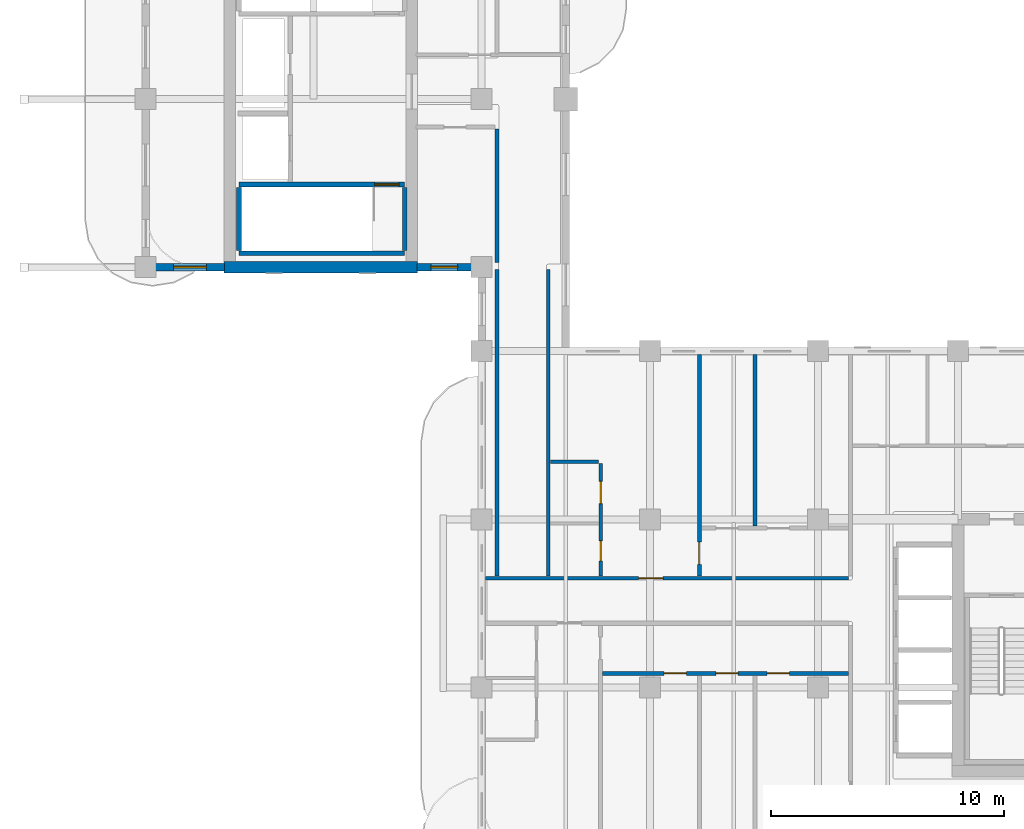
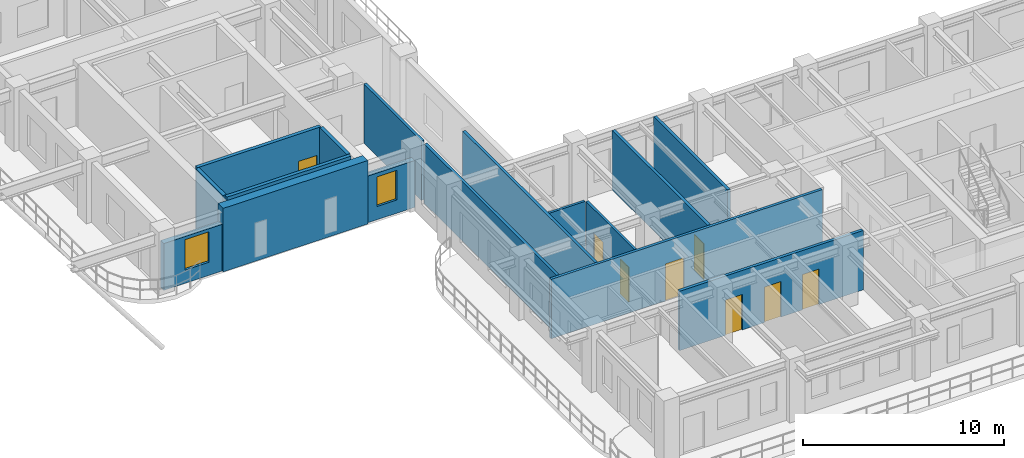
# One storey, part 6 of 14: 16 walls, 8 doors, 2 windows, 10 openings.
"""IFC4 building model written with IfcOpenShell, lengths in metres."""

from ifc_helpers import new_model, si_unit, derived_unit, direction, frame, frame_2d, origin, place, context, subcontext, project, spatial, rectangle, extrude, source, transform, mapped, material, layer, layer_set, type_object, type_shapes, element, fill, save


model = new_model("IFC4")

# Units and contexts
model_context = context("Model", 3, precision=1e-05, world=origin(), true_north=direction((0.0, 1.0)))
body_context = subcontext(model_context, "Body", "Model", "MODEL_VIEW")
ifc_project = project(units=[si_unit("LENGTHUNIT", "METRE"), si_unit("AREAUNIT", "SQUARE_METRE"), si_unit("VOLUMEUNIT", "CUBIC_METRE"), si_unit("PLANEANGLEUNIT", "RADIAN"), si_unit("MASSUNIT", "GRAM", prefix="KILO"), si_unit("THERMODYNAMICTEMPERATUREUNIT", "KELVIN"), si_unit("POWERUNIT", "WATT"), derived_unit("THERMALTRANSMITTANCEUNIT", [(si_unit("POWERUNIT", "WATT"), 1), (si_unit("AREAUNIT", "SQUARE_METRE"), -1), (si_unit("THERMODYNAMICTEMPERATUREUNIT", "KELVIN"), -1)])], contexts=[model_context])

# Site, building, storey
site_placement = place(None, origin())
site = spatial("IfcSite", under=ifc_project, at=site_placement, CompositionType="ELEMENT")
building_placement = place(site_placement, origin())
building = spatial("IfcBuilding", under=site, at=building_placement, Name="Zahravan Archway Hotel and Residences", CompositionType="ELEMENT")
storey_placement = place(building_placement, frame((0.0, 0.0, 209.60009765625)))
storey = spatial("IfcBuildingStorey", under=building, at=storey_placement, Name="L52", CompositionType="ELEMENT", Elevation=209.60009765625)

# Wall
ifc_material_1 = material(Name="Concrete C60/75", Category="concrete")
ifc_layer_1 = layer(ifc_material_1, 0.5, Name="Concrete C60/75", Category="concrete")
ifc_layer_set_1 = layer_set([ifc_layer_1], Name="Concrete C60/75")
wall_type_1 = type_object("IfcWallType", Name="CW-CORE-500", PredefinedType="SHEAR", material=ifc_layer_set_1)
wall_1_placement = place(storey_placement, frame((3.35009765625, 25.199951171875, 0.0), z_axis=(0.0, 0.0, 1.0), x_axis=(1.0, 0.0, 0.0)))
element("IfcWall", 1, at=wall_1_placement, inside=storey, type_object=wall_type_1, Name="L52 Core B Shear S Wall 500 mm", PredefinedType="SHEAR", context=body_context, shape_type="SweptSolid", body=[
    extrude(rectangle(XDim=8.2998046875, YDim=0.5, at=frame_2d((4.14990234375, 0.0))), origin(), (0.0, 0.0, 1.0), 3.849853515625),
])

# Wall, opening, window
ifc_material_2 = material(Name="Agra Buff Sandstone & Insulated Backup", Category="masonry")
ifc_layer_2 = layer(ifc_material_2, 0.320068359375, Name="Agra Buff Sandstone & Insulated Backup", Category="masonry")
ifc_layer_set_2 = layer_set([ifc_layer_2], Name="Agra Buff Sandstone & Insulated Backup")
wall_type_2 = type_object("IfcWallType", Name="EW-SAND-320", PredefinedType="SOLIDWALL", material=ifc_layer_set_2)
wall_2_placement = place(storey_placement, frame((11.6201171875, 25.199951171875, 0.0), z_axis=(0.0, 0.0, 1.0), x_axis=(1.0, 0.0, 0.0)))
wall_2 = element("IfcWall", 2, at=wall_2_placement, inside=storey, type_object=wall_type_2, Name="L52 Exterior Sandstone Wall WB-SE", PredefinedType="SOLIDWALL", context=body_context, shape_type="SweptSolid", body=[
    extrude(rectangle(XDim=2.77978515625, YDim=0.320068359375, at=frame_2d((1.389892578125, 0.0))), origin(), (0.0, 0.0, 1.0), 2.8349609375),
])
opening_1_placement = place(wall_2_placement, frame((0.60009765625, 0.0, 0.800048828125)))
opening_1 = element("IfcOpeningElement", 3, at=opening_1_placement, cuts=wall_2, Name="Opening W-05", PredefinedType="OPENING", context=body_context, shape_type="SweptSolid", body=[
    extrude(rectangle(XDim=1.14990234375, YDim=1.800048828125, at=frame_2d((0.574951171875, 0.89990234375))), frame((0.0, 0.169921875, 0.0), z_axis=(0.0, -1.0, 0.0), x_axis=(1.0, 0.0, 0.0)), (0.0, 0.0, 1.0), 0.340087890625),
])
ifc_material_3 = material(Name="Bronze-Anodized Thermal-Break Aluminium & Low-E Glass", Category="aluminium")
window_type_1 = type_object("IfcWindowType", Name="WIN-TWR-1150", PartitioningType="SINGLE_PANEL", PredefinedType="WINDOW", material=ifc_material_3)
shared_shape_1 = source(origin(), body_context, "Body", "SweptSolid", [
    extrude(rectangle(XDim=1.14990234375, YDim=1.800048828125, at=frame_2d((0.574951171875, 0.89990234375))), frame((0.0, 0.030029296875, 0.0), z_axis=(0.0, -1.0, 0.0), x_axis=(1.0, 0.0, 0.0)), (0.0, 0.0, 1.0), 0.06005859375),
])
type_shapes(window_type_1, [shared_shape_1])
window_1_placement = place(opening_1_placement, origin())
window_1 = element("IfcWindow", 4, at=window_1_placement, inside=storey, type_object=window_type_1, Name="L52 Loggia Window 29", OverallHeight=1.800048828125, OverallWidth=1.14990234375, PartitioningType="SINGLE_PANEL", PredefinedType="WINDOW", context=body_context, shape_type="MappedRepresentation", body=[
    mapped(shared_shape_1, transform((0.0, 0.0, 0.0), scale=1.0)),
])
fill(opening_1, window_1)

wall_3_placement = place(storey_placement, frame((0.0, 25.199951171875, 0.0), z_axis=(0.0, 0.0, 1.0), x_axis=(1.0, 0.0, 0.0)))
wall_3 = element("IfcWall", 5, at=wall_3_placement, inside=storey, type_object=wall_type_2, Name="L52 Exterior Sandstone Wall WB-SW", PredefinedType="SOLIDWALL", context=body_context, shape_type="SweptSolid", body=[
    extrude(rectangle(XDim=3.3798828125, YDim=0.320068359375, at=frame_2d((1.68994140625, 0.0))), origin(), (0.0, 0.0, 1.0), 2.8349609375),
])
opening_2_placement = place(wall_3_placement, frame((1.205078125, 0.0, 0.800048828125)))
opening_2 = element("IfcOpeningElement", 6, at=opening_2_placement, cuts=wall_3, Name="Opening W-03", PredefinedType="OPENING", context=body_context, shape_type="SweptSolid", body=[
    extrude(rectangle(XDim=1.39990234375, YDim=1.85009765625, at=frame_2d((0.699951171875, 0.925048828125))), frame((0.0, 0.169921875, 0.0), z_axis=(0.0, -1.0, 0.0), x_axis=(1.0, 0.0, 0.0)), (0.0, 0.0, 1.0), 0.340087890625),
])
window_type_2 = type_object("IfcWindowType", Name="WIN-TWR-1400", PartitioningType="SINGLE_PANEL", PredefinedType="WINDOW", material=ifc_material_3)
shared_shape_2 = source(origin(), body_context, "Body", "SweptSolid", [
    extrude(rectangle(XDim=1.39990234375, YDim=1.85009765625, at=frame_2d((0.699951171875, 0.925048828125))), frame((0.0, 0.030029296875, 0.0), z_axis=(0.0, -1.0, 0.0), x_axis=(1.0, 0.0, 0.0)), (0.0, 0.0, 1.0), 0.06005859375),
])
type_shapes(window_type_2, [shared_shape_2])
window_2_placement = place(opening_2_placement, origin())
window_2 = element("IfcWindow", 7, at=window_2_placement, inside=storey, type_object=window_type_2, Name="L52 Loggia Window 30", OverallHeight=1.85009765625, OverallWidth=1.39990234375, PartitioningType="SINGLE_PANEL", PredefinedType="WINDOW", context=body_context, shape_type="MappedRepresentation", body=[
    mapped(shared_shape_2, transform((0.0, 0.0, 0.0), scale=1.0)),
])
fill(opening_2, window_2)

# Wall, opening, door
ifc_material_4 = material(Name="Fire-Rated Gypsum & Concrete Block", Category="concrete")
ifc_layer_3 = layer(ifc_material_4, 0.159912109375, Name="Fire-Rated Gypsum & Concrete Block", Category="concrete")
ifc_layer_set_3 = layer_set([ifc_layer_3], Name="Fire-Rated Gypsum & Concrete Block")
wall_type_3 = type_object("IfcWallType", Name="PW-CORR-160", PredefinedType="PARTITIONING", material=ifc_layer_set_3)
wall_4_placement = place(storey_placement, frame((14.568115234375, 11.8701171875, 0.0), z_axis=(0.0, 0.0, 1.0), x_axis=(1.0, 0.0, 0.0)))
wall_4 = element("IfcWall", 8, at=wall_4_placement, inside=storey, type_object=wall_type_3, Name="L52 Partition WA-CN", PredefinedType="PARTITIONING", context=body_context, shape_type="SweptSolid", body=[
    extrude(rectangle(XDim=15.5419921875, YDim=0.159912109375, at=frame_2d((7.77099609375, 0.0))), origin(), (0.0, 0.0, 1.0), 3.599853515625),
])
opening_3_placement = place(wall_4_placement, frame((6.556884765625, 0.0, 0.0)))
opening_3 = element("IfcOpeningElement", 9, at=opening_3_placement, cuts=wall_4, Name="Opening D-U1", PredefinedType="OPENING", context=body_context, shape_type="SweptSolid", body=[
    extrude(rectangle(XDim=1.050048828125, YDim=2.25, at=frame_2d((0.52490234375, 1.125))), frame((0.0, 0.08984375, 0.0), z_axis=(0.0, -1.0, 0.0), x_axis=(1.0, 0.0, 0.0)), (0.0, 0.0, 1.0), 0.179931640625),
])
ifc_material_5 = material(Name="Hardwood Veneer Timber", Category="wood")
door_type_1 = type_object("IfcDoorType", Name="ID-UNIT-1050", OperationType="NOTDEFINED", PredefinedType="DOOR", material=ifc_material_5)
shared_shape_3 = source(origin(), body_context, "Body", "SweptSolid", [
    extrude(rectangle(XDim=1.050048828125, YDim=2.25, at=frame_2d((0.52490234375, 1.125))), frame((0.0, 0.02490234375, 0.0), z_axis=(0.0, -1.0, 0.0), x_axis=(1.0, 0.0, 0.0)), (0.0, 0.0, 1.0), 0.050048828125),
])
type_shapes(door_type_1, [shared_shape_3])
door_1_placement = place(opening_3_placement, origin())
door_1 = element("IfcDoor", 10, at=door_1_placement, inside=storey, type_object=door_type_1, Name="L52 Flat HN1 Entrance Door", OperationType="SINGLE_SWING_RIGHT", OverallHeight=2.25, OverallWidth=1.050048828125, PredefinedType="DOOR", context=body_context, shape_type="MappedRepresentation", body=[
    mapped(shared_shape_3, transform((0.0, 0.0, 0.0), scale=1.0)),
])
fill(opening_3, door_1)

# Walls
for number, where, z_axis, x_axis, name in (
    (11, (15.050048828125, 11.9599609375, 0.0), (0.0, 0.0, 1.0), (0.0, 1.0, 0.0), "L52 Partition LNK-W"),
    (12, (17.25, 11.9599609375, 0.0), (0.0, 0.0, 1.0), (0.0, 1.0, 0.0), "L52 Partition LNK-E"),
):
    element("IfcWall", number, at=place(storey_placement, frame(where, z_axis=z_axis, x_axis=x_axis)), inside=storey, type_object=wall_type_3, Name=name, PredefinedType="PARTITIONING", context=body_context, shape_type="SweptSolid", body=[
        extrude(rectangle(XDim=13.150146484375, YDim=0.159912109375, at=frame_2d((6.5751953125, 0.0))), origin(), (0.0, 0.0, 1.0), 3.599853515625),
    ])
wall_5_placement = place(storey_placement, frame((15.050048828125, 25.389892578125, 0.0), z_axis=(0.0, 0.0, 1.0), x_axis=(0.0, 1.0, 0.0)))
element("IfcWall", 13, at=wall_5_placement, inside=storey, type_object=wall_type_3, Name="L52 Partition FB1-E", PredefinedType="PARTITIONING", context=body_context, shape_type="SweptSolid", body=[
    extrude(rectangle(XDim=5.72021484375, YDim=0.159912109375, at=frame_2d((2.860107421875, 0.0))), origin(), (0.0, 0.0, 1.0), 3.599853515625),
])

# Wall, openings, doors
ifc_material_6 = material(Name="Acoustic Stud Partition")
ifc_layer_4 = layer(ifc_material_6, 0.169921875, Name="Acoustic Stud Partition")
ifc_layer_set_4 = layer_set([ifc_layer_4], Name="Acoustic Stud Partition")
wall_type_4 = type_object("IfcWallType", Name="PW-UNIT-170", PredefinedType="PARTITIONING", material=ifc_layer_set_4)
wall_6_placement = place(storey_placement, frame((19.570068359375, 7.800048828125, 0.0), z_axis=(0.0, 0.0, 1.0), x_axis=(1.0, 0.0, 0.0)))
wall_6 = element("IfcWall", 14, at=wall_6_placement, inside=storey, type_object=wall_type_4, Name="L52 Partition FL-S1-GH", PredefinedType="PARTITIONING", context=body_context, shape_type="SweptSolid", body=[
    extrude(rectangle(XDim=10.5400390625, YDim=0.169921875, at=frame_2d((5.27001953125, 0.0))), origin(), (0.0, 0.0, 1.0), 3.599853515625),
])
opening_4_placement = place(wall_6_placement, frame((2.645751953125, 0.0, 0.0)))
opening_4 = element("IfcOpeningElement", 15, at=opening_4_placement, cuts=wall_6, Name="Opening D-I1", PredefinedType="OPENING", context=body_context, shape_type="SweptSolid", body=[
    extrude(rectangle(XDim=0.949951171875, YDim=2.14990234375, at=frame_2d((0.47509765625, 1.074951171875))), frame((0.0, 0.094970703125, 0.0), z_axis=(0.0, -1.0, 0.0), x_axis=(1.0, 0.0, 0.0)), (0.0, 0.0, 1.0), 0.18994140625),
])
opening_5_placement = place(wall_6_placement, frame((4.864990234375, 0.0, 0.0)))
opening_5 = element("IfcOpeningElement", 16, at=opening_5_placement, cuts=wall_6, Name="Opening D-I1", PredefinedType="OPENING", context=body_context, shape_type="SweptSolid", body=[
    extrude(rectangle(XDim=0.949951171875, YDim=2.14990234375, at=frame_2d((0.47509765625, 1.074951171875))), frame((0.0, 0.094970703125, 0.0), z_axis=(0.0, -1.0, 0.0), x_axis=(1.0, 0.0, 0.0)), (0.0, 0.0, 1.0), 0.18994140625),
])
opening_6_placement = place(wall_6_placement, frame((7.054931640625, 0.0, 0.0)))
opening_6 = element("IfcOpeningElement", 17, at=opening_6_placement, cuts=wall_6, Name="Opening D-I1", PredefinedType="OPENING", context=body_context, shape_type="SweptSolid", body=[
    extrude(rectangle(XDim=0.949951171875, YDim=2.14990234375, at=frame_2d((0.47509765625, 1.074951171875))), frame((0.0, 0.094970703125, 0.0), z_axis=(0.0, -1.0, 0.0), x_axis=(1.0, 0.0, 0.0)), (0.0, 0.0, 1.0), 0.18994140625),
])
door_type_2 = type_object("IfcDoorType", Name="ID-INT-950", OperationType="NOTDEFINED", PredefinedType="DOOR", material=ifc_material_5)
shared_shape_4 = source(origin(), body_context, "Body", "SweptSolid", [
    extrude(rectangle(XDim=0.949951171875, YDim=2.14990234375, at=frame_2d((0.47509765625, 1.074951171875))), frame((0.0, 0.02490234375, 0.0), z_axis=(0.0, -1.0, 0.0), x_axis=(1.0, 0.0, 0.0)), (0.0, 0.0, 1.0), 0.050048828125),
])
type_shapes(door_type_2, [shared_shape_4])
door_2_placement = place(opening_4_placement, origin())
door_2 = element("IfcDoor", 18, at=door_2_placement, inside=storey, type_object=door_type_2, Name="L52 Flat S1 Bedroom 1 Door", OperationType="SINGLE_SWING_RIGHT", OverallHeight=2.14990234375, OverallWidth=0.949951171875, PredefinedType="DOOR", context=body_context, shape_type="MappedRepresentation", body=[
    mapped(shared_shape_4, transform((0.0, 0.0, 0.0), scale=1.0)),
])
fill(opening_4, door_2)
door_3_placement = place(opening_5_placement, origin())
door_3 = element("IfcDoor", 19, at=door_3_placement, inside=storey, type_object=door_type_2, Name="L52 Flat S1 Bedroom 2 Door", OperationType="SINGLE_SWING_RIGHT", OverallHeight=2.14990234375, OverallWidth=0.949951171875, PredefinedType="DOOR", context=body_context, shape_type="MappedRepresentation", body=[
    mapped(shared_shape_4, transform((0.0, 0.0, 0.0), scale=1.0)),
])
fill(opening_5, door_3)
door_4_placement = place(opening_6_placement, origin())
door_4 = element("IfcDoor", 20, at=door_4_placement, inside=storey, type_object=door_type_2, Name="L52 Flat S1 Bedroom 3 Door", OperationType="SINGLE_SWING_LEFT", OverallHeight=2.14990234375, OverallWidth=0.949951171875, PredefinedType="DOOR", context=body_context, shape_type="MappedRepresentation", body=[
    mapped(shared_shape_4, transform((0.0, 0.0, 0.0), scale=1.0)),
])
fill(opening_6, door_4)

# Wall, opening, door
wall_7_placement = place(storey_placement, frame((23.719970703125, 11.9599609375, 0.0), z_axis=(0.0, 0.0, 1.0), x_axis=(0.0, 1.0, 0.0)))
wall_7 = element("IfcWall", 21, at=wall_7_placement, inside=storey, type_object=wall_type_4, Name="L52 Partition FL-HN1-SP", PredefinedType="PARTITIONING", context=body_context, shape_type="SweptSolid", body=[
    extrude(rectangle(XDim=9.5, YDim=0.169921875, at=frame_2d((4.75, 0.0))), origin(), (0.0, 0.0, 1.0), 3.599853515625),
])
opening_7_placement = place(wall_7_placement, frame((0.510009765625, 0.0, 0.0)))
opening_7 = element("IfcOpeningElement", 22, at=opening_7_placement, cuts=wall_7, Name="Opening D-I1", PredefinedType="OPENING", context=body_context, shape_type="SweptSolid", body=[
    extrude(rectangle(XDim=0.949951171875, YDim=2.14990234375, at=frame_2d((0.47509765625, 1.074951171875))), frame((0.0, 0.094970703125, 0.0), z_axis=(0.0, -1.0, 0.0), x_axis=(1.0, 0.0, 0.0)), (0.0, 0.0, 1.0), 0.18994140625),
])
door_5_placement = place(opening_7_placement, origin())
door_5 = element("IfcDoor", 23, at=door_5_placement, inside=storey, type_object=door_type_2, Name="L52 Flat HN1 Bedroom Hall Door", OperationType="SINGLE_SWING_LEFT", OverallHeight=2.14990234375, OverallWidth=0.949951171875, PredefinedType="DOOR", context=body_context, shape_type="MappedRepresentation", body=[
    mapped(shared_shape_4, transform((0.0, 0.0, 0.0), scale=1.0)),
])
fill(opening_7, door_5)

# Wall
wall_8_placement = place(storey_placement, frame((26.10009765625, 14.110107421875, 0.0), z_axis=(0.0, 0.0, 1.0), x_axis=(0.0, 1.0, 0.0)))
element("IfcWall", 24, at=wall_8_placement, inside=storey, type_object=wall_type_4, Name="L52 Partition FL-HN1-BD1", PredefinedType="PARTITIONING", context=body_context, shape_type="SweptSolid", body=[
    extrude(rectangle(XDim=7.349853515625, YDim=0.169921875, at=frame_2d((3.6748046875, 0.0))), origin(), (0.0, 0.0, 1.0), 3.599853515625),
])

# Wall, openings, doors
ifc_material_7 = material(Name="Moisture-Resistant Blockwork", Category="masonry")
ifc_layer_5 = layer(ifc_material_7, 0.139892578125, Name="Moisture-Resistant Blockwork", Category="masonry")
ifc_layer_set_5 = layer_set([ifc_layer_5], Name="Moisture-Resistant Blockwork")
wall_type_5 = type_object("IfcWallType", Name="PW-WET-140", PredefinedType="PARTITIONING", material=ifc_layer_set_5)
wall_9_placement = place(storey_placement, frame((19.5, 11.9599609375, 0.0), z_axis=(0.0, 0.0, 1.0), x_axis=(0.0, 1.0, 0.0)))
wall_9 = element("IfcWall", 25, at=wall_9_placement, inside=storey, type_object=wall_type_5, Name="L52 Partition FL-HN1-BV", PredefinedType="PARTITIONING", context=body_context, shape_type="SweptSolid", body=[
    extrude(rectangle(XDim=4.820068359375, YDim=0.139892578125, at=frame_2d((2.41015625, 0.0))), origin(), (0.0, 0.0, 1.0), 3.599853515625),
])
opening_8_placement = place(wall_9_placement, frame((0.659912109375, 0.0, 0.0)))
opening_8 = element("IfcOpeningElement", 26, at=opening_8_placement, cuts=wall_9, Name="Opening D-B1", PredefinedType="OPENING", context=body_context, shape_type="SweptSolid", body=[
    extrude(rectangle(XDim=0.85009765625, YDim=2.10009765625, at=frame_2d((0.425048828125, 1.050048828125))), frame((0.0, 0.080078125, 0.0), z_axis=(0.0, -1.0, 0.0), x_axis=(1.0, 0.0, 0.0)), (0.0, 0.0, 1.0), 0.159912109375),
])
opening_9_placement = place(wall_9_placement, frame((3.110107421875, 0.0, 0.0)))
opening_9 = element("IfcOpeningElement", 27, at=opening_9_placement, cuts=wall_9, Name="Opening D-I1", PredefinedType="OPENING", context=body_context, shape_type="SweptSolid", body=[
    extrude(rectangle(XDim=0.949951171875, YDim=2.14990234375, at=frame_2d((0.47509765625, 1.074951171875))), frame((0.0, 0.080078125, 0.0), z_axis=(0.0, -1.0, 0.0), x_axis=(1.0, 0.0, 0.0)), (0.0, 0.0, 1.0), 0.159912109375),
])
door_type_3 = type_object("IfcDoorType", Name="ID-BATH-850", OperationType="NOTDEFINED", PredefinedType="DOOR", material=ifc_material_5)
shared_shape_5 = source(origin(), body_context, "Body", "SweptSolid", [
    extrude(rectangle(XDim=0.85009765625, YDim=2.10009765625, at=frame_2d((0.425048828125, 1.050048828125))), frame((0.0, 0.02490234375, 0.0), z_axis=(0.0, -1.0, 0.0), x_axis=(1.0, 0.0, 0.0)), (0.0, 0.0, 1.0), 0.050048828125),
])
type_shapes(door_type_3, [shared_shape_5])
door_6_placement = place(opening_8_placement, origin())
door_6 = element("IfcDoor", 28, at=door_6_placement, inside=storey, type_object=door_type_3, Name="L52 Flat HN1 Bathroom Door", OperationType="SINGLE_SWING_RIGHT", OverallHeight=2.10009765625, OverallWidth=0.85009765625, PredefinedType="DOOR", context=body_context, shape_type="MappedRepresentation", body=[
    mapped(shared_shape_5, transform((0.0, 0.0, 0.0), scale=1.0)),
])
fill(opening_8, door_6)
door_7_placement = place(opening_9_placement, origin())
door_7 = element("IfcDoor", 29, at=door_7_placement, inside=storey, type_object=door_type_2, Name="L52 Flat HN1 Kitchen Door", OperationType="SINGLE_SWING_LEFT", OverallHeight=2.14990234375, OverallWidth=0.949951171875, PredefinedType="DOOR", context=body_context, shape_type="MappedRepresentation", body=[
    mapped(shared_shape_4, transform((0.0, 0.0, 0.0), scale=1.0)),
])
fill(opening_9, door_7)

# Walls
wall_10_placement = place(storey_placement, frame((17.340087890625, 16.8701171875, 0.0), z_axis=(0.0, 0.0, 1.0), x_axis=(1.0, 0.0, 0.0)))
element("IfcWall", 30, at=wall_10_placement, inside=storey, type_object=wall_type_5, Name="L52 Partition FL-HN1-KH", PredefinedType="PARTITIONING", context=body_context, shape_type="SweptSolid", body=[
    extrude(rectangle(XDim=2.06982421875, YDim=0.139892578125, at=frame_2d((1.034912109375, 0.0))), origin(), (0.0, 0.0, 1.0), 3.599853515625),
])
ifc_material_8 = material(Name="Concrete C50/60", Category="concrete")
ifc_layer_6 = layer(ifc_material_8, 0.199951171875, Name="Concrete C50/60", Category="concrete")
ifc_layer_set_6 = layer_set([ifc_layer_6], Name="Concrete C50/60")
wall_type_6 = type_object("IfcWallType", Name="SW-STAIR-200", PredefinedType="SHEAR", material=ifc_layer_set_6)
wall_11_placement = place(storey_placement, frame((4.0, 25.800048828125, 0.0), z_axis=(0.0, 0.0, 1.0), x_axis=(1.0, 0.0, 0.0)))
element("IfcWall", 31, at=wall_11_placement, inside=storey, type_object=wall_type_6, Name="L52 Stairwell RC Wall CB-SB1S", PredefinedType="SHEAR", context=body_context, shape_type="SweptSolid", body=[
    extrude(rectangle(XDim=7.10009765625, YDim=0.199951171875, at=frame_2d((3.550048828125, 0.0))), origin(), (0.0, 0.0, 1.0), 3.849853515625),
])
for number, where, z_axis, x_axis, name in (
    (32, (4.0, 25.919921875, 0.0), (0.0, 0.0, 1.0), (0.0, 1.0, 0.0), "L52 Stairwell RC Wall CB-SB1W"),
    (33, (11.10009765625, 25.919921875, 0.0), (0.0, 0.0, 1.0), (0.0, 1.0, 0.0), "L52 Stairwell RC Wall CB-SB1E"),
):
    element("IfcWall", number, at=place(storey_placement, frame(where, z_axis=z_axis, x_axis=x_axis)), inside=storey, type_object=wall_type_6, Name=name, PredefinedType="SHEAR", context=body_context, shape_type="SweptSolid", body=[
        extrude(rectangle(XDim=2.7001953125, YDim=0.199951171875, at=frame_2d((1.35009765625, 0.0))), origin(), (0.0, 0.0, 1.0), 3.849853515625),
    ])

# Wall, opening, door
wall_12_placement = place(storey_placement, frame((4.0, 28.739990234375, 0.0), z_axis=(0.0, 0.0, 1.0), x_axis=(1.0, 0.0, 0.0)))
wall_12 = element("IfcWall", 34, at=wall_12_placement, inside=storey, type_object=wall_type_6, Name="L52 Stairwell RC Wall CB-SB1N", PredefinedType="SHEAR", context=body_context, shape_type="SweptSolid", body=[
    extrude(rectangle(XDim=7.10009765625, YDim=0.199951171875, at=frame_2d((3.550048828125, 0.0))), origin(), (0.0, 0.0, 1.0), 3.849853515625),
])
opening_10_placement = place(wall_12_placement, frame((5.81494140625, 0.0, 0.0)))
opening_10 = element("IfcOpeningElement", 35, at=opening_10_placement, cuts=wall_12, Name="Opening FD-S1", PredefinedType="OPENING", context=body_context, shape_type="SweptSolid", body=[
    extrude(rectangle(XDim=1.050048828125, YDim=2.199951171875, at=frame_2d((0.52490234375, 1.10009765625))), frame((0.0, 0.10986328125, 0.0), z_axis=(0.0, -1.0, 0.0), x_axis=(1.0, 0.0, 0.0)), (0.0, 0.0, 1.0), 0.219970703125),
])
ifc_material_9 = material(Name="Fire-Rated Painted Steel", Category="steel")
door_type_4 = type_object("IfcDoorType", Name="FD-STAIR-1100", OperationType="NOTDEFINED", PredefinedType="DOOR", material=ifc_material_9)
shared_shape_6 = source(origin(), body_context, "Body", "SweptSolid", [
    extrude(rectangle(XDim=1.050048828125, YDim=2.199951171875, at=frame_2d((0.52490234375, 1.10009765625))), frame((0.0, 0.02490234375, 0.0), z_axis=(0.0, -1.0, 0.0), x_axis=(1.0, 0.0, 0.0)), (0.0, 0.0, 1.0), 0.050048828125),
])
type_shapes(door_type_4, [shared_shape_6])
door_8_placement = place(opening_10_placement, origin())
door_8 = element("IfcDoor", 36, at=door_8_placement, inside=storey, type_object=door_type_4, Name="L52 Stair ST-B1 Door", OperationType="SINGLE_SWING_RIGHT", OverallHeight=2.199951171875, OverallWidth=1.050048828125, PredefinedType="DOOR", context=body_context, shape_type="MappedRepresentation", body=[
    mapped(shared_shape_6, transform((0.0, 0.0, 0.0), scale=1.0)),
])
fill(opening_10, door_8)

save(model, "model.ifc")
